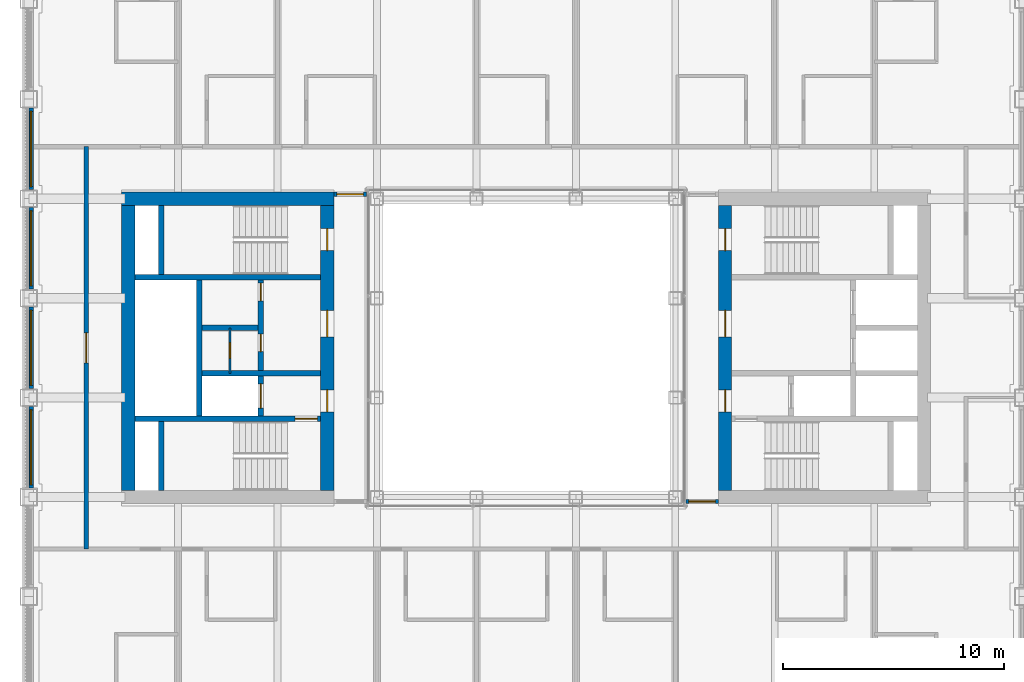
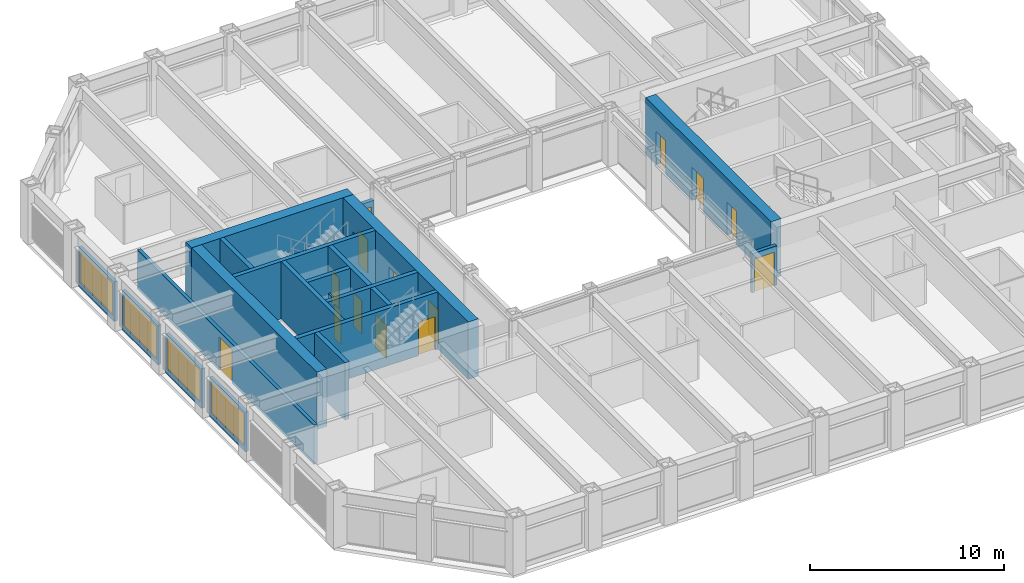
# One storey, part 11 of 17: 20 walls, 14 doors, 4 windows, 18 openings.
"""IFC4 building model written with IfcOpenShell, lengths in metres."""

from ifc_helpers import new_model, si_unit, direction, frame, frame_2d, origin, place, context, subcontext, project, spatial, rectangle, extrude, material, layer, layer_set, type_object, element, fill, save


model = new_model("IFC4")

# Units and contexts
model_context = context("Model", 3, precision=1e-05, world=origin(), true_north=direction((0.0, 1.0)))
body_context = subcontext(model_context, "Body", "Model", "MODEL_VIEW")
ifc_project = project(units=[si_unit("LENGTHUNIT", "METRE"), si_unit("AREAUNIT", "SQUARE_METRE"), si_unit("VOLUMEUNIT", "CUBIC_METRE"), si_unit("PLANEANGLEUNIT", "RADIAN"), si_unit("MASSUNIT", "GRAM", prefix="KILO")], contexts=[model_context])

# Site, building, storey
site_placement = place(None, origin())
site = spatial("IfcSite", under=ifc_project, at=site_placement, CompositionType="ELEMENT")
building_placement = place(site_placement, origin())
building = spatial("IfcBuilding", under=site, at=building_placement, Name="Msasa Ring Tower", CompositionType="ELEMENT")
storey_placement = place(building_placement, frame((0.0, 0.0, 150.800048828125)))
storey = spatial("IfcBuildingStorey", under=building, at=storey_placement, Name="L39", CompositionType="ELEMENT", Elevation=150.800048828125)

# Wall, openings, doors
ifc_material_1 = material(Name="Concrete C60/75", Category="concrete")
ifc_layer_1 = layer(ifc_material_1, 0.60009765625)
ifc_layer_set_1 = layer_set([ifc_layer_1], Name="CW2 CORE WALL 600")
wall_type_1 = type_object("IfcWallType", Name="CW2 CORE WALL 600", PredefinedType="SHEAR", material=ifc_layer_set_1)
wall_1_placement = place(storey_placement, frame((9.0, -6.449951171875, 0.0), z_axis=(0.0, 0.0, 1.0), x_axis=(0.0, 1.0, 0.0)))
wall_1 = element("IfcWall", 1, at=wall_1_placement, inside=storey, type_object=wall_type_1, Name="E core wall W L39", PredefinedType="SHEAR", context=body_context, shape_type="SweptSolid", body=[
    extrude(rectangle(XDim=12.89990234375, YDim=0.60009765625, at=frame_2d((6.449951171875, 0.0))), origin(), (0.0, 0.0, 1.0), 3.599853515625),
])
opening_1_placement = place(wall_1_placement, frame((3.550048828125, 0.0, 0.0)))
opening_1 = element("IfcOpeningElement", 2, at=opening_1_placement, cuts=wall_1, Name="Opening HD-027", PredefinedType="OPENING", context=body_context, shape_type="SweptSolid", body=[
    extrude(rectangle(XDim=1.0, YDim=2.10009765625, at=frame_2d((0.5, 1.050048828125))), frame((0.0, 0.31005859375, 0.0), z_axis=(0.0, -1.0, 0.0), x_axis=(1.0, 0.0, 0.0)), (0.0, 0.0, 1.0), 0.6201171875),
])
opening_2_placement = place(wall_1_placement, frame((6.949951171875, 0.0, 0.0)))
opening_2 = element("IfcOpeningElement", 3, at=opening_2_placement, cuts=wall_1, Name="Opening HD-022", PredefinedType="OPENING", context=body_context, shape_type="SweptSolid", body=[
    extrude(rectangle(XDim=1.199951171875, YDim=2.10009765625, at=frame_2d((0.60009765625, 1.050048828125))), frame((0.0, 0.31005859375, 0.0), z_axis=(0.0, -1.0, 0.0), x_axis=(1.0, 0.0, 0.0)), (0.0, 0.0, 1.0), 0.6201171875),
])
opening_3_placement = place(wall_1_placement, frame((10.85009765625, 0.0, 0.0)))
opening_3 = element("IfcOpeningElement", 4, at=opening_3_placement, cuts=wall_1, Name="Opening HD-019", PredefinedType="OPENING", context=body_context, shape_type="SweptSolid", body=[
    extrude(rectangle(XDim=1.0, YDim=2.10009765625, at=frame_2d((0.5, 1.050048828125))), frame((0.0, 0.31005859375, 0.0), z_axis=(0.0, -1.0, 0.0), x_axis=(1.0, 0.0, 0.0)), (0.0, 0.0, 1.0), 0.6201171875),
])
ifc_material_2 = material(Name="Timber door leaf in a steel frame", Category="steel")
door_type_1 = type_object("IfcDoorType", Name="D4 LOBBY DOOR 1000x2100", OperationType="SINGLE_SWING_LEFT", PredefinedType="DOOR", material=ifc_material_2)
door_1_placement = place(opening_1_placement, origin())
door_1 = element("IfcDoor", 5, at=door_1_placement, inside=storey, type_object=door_type_1, Name="Door L39-EFFL", OperationType="SINGLE_SWING_LEFT", OverallHeight=2.10009765625, OverallWidth=1.0, PredefinedType="DOOR", context=body_context, shape_type="SweptSolid", body=[
    extrude(rectangle(XDim=1.0, YDim=2.10009765625, at=frame_2d((0.5, 1.050048828125))), frame((0.0, 0.02490234375, 0.0), z_axis=(0.0, -1.0, 0.0), x_axis=(1.0, 0.0, 0.0)), (0.0, 0.0, 1.0), 0.050048828125),
])
fill(opening_1, door_1)
ifc_material_3 = material(Name="Timber door leaf in a steel frame", Category="steel")
door_type_2 = type_object("IfcDoorType", Name="D5 WIDE LOBBY DOOR 1200x2100", OperationType="SINGLE_SWING_LEFT", PredefinedType="DOOR", material=ifc_material_3)
door_2_placement = place(opening_2_placement, origin())
door_2 = element("IfcDoor", 6, at=door_2_placement, inside=storey, type_object=door_type_2, Name="Door L39-ELL", OperationType="SINGLE_SWING_RIGHT", OverallHeight=2.10009765625, OverallWidth=1.199951171875, PredefinedType="DOOR", context=body_context, shape_type="SweptSolid", body=[
    extrude(rectangle(XDim=1.199951171875, YDim=2.10009765625, at=frame_2d((0.60009765625, 1.050048828125))), frame((0.0, 0.02490234375, 0.0), z_axis=(0.0, -1.0, 0.0), x_axis=(1.0, 0.0, 0.0)), (0.0, 0.0, 1.0), 0.050048828125),
])
fill(opening_2, door_2)
ifc_material_4 = material(Name="Timber door leaf in a steel frame", Category="steel")
door_type_3 = type_object("IfcDoorType", Name="D6 STAIR DOOR 1000x2100", OperationType="SINGLE_SWING_LEFT", PredefinedType="DOOR", material=ifc_material_4)
door_3_placement = place(opening_3_placement, origin())
door_3 = element("IfcDoor", 7, at=door_3_placement, inside=storey, type_object=door_type_3, Name="Door L39-ESTB", OperationType="SINGLE_SWING_RIGHT", OverallHeight=2.10009765625, OverallWidth=1.0, PredefinedType="DOOR", context=body_context, shape_type="SweptSolid", body=[
    extrude(rectangle(XDim=1.0, YDim=2.10009765625, at=frame_2d((0.5, 1.050048828125))), frame((0.0, 0.02490234375, 0.0), z_axis=(0.0, -1.0, 0.0), x_axis=(1.0, 0.0, 0.0)), (0.0, 0.0, 1.0), 0.050048828125),
])
fill(opening_3, door_3)

# Wall
wall_2_placement = place(storey_placement, frame((-8.699951171875, 6.75, 0.0), z_axis=(0.0, 0.0, 1.0), x_axis=(-1.0, 0.0, 0.0)))
element("IfcWall", 8, at=wall_2_placement, inside=storey, type_object=wall_type_1, Name="W core wall N L39", PredefinedType="SHEAR", context=body_context, shape_type="SweptSolid", body=[
    extrude(rectangle(XDim=9.60009765625, YDim=0.60009765625, at=frame_2d((4.800048828125, 0.0))), origin(), (0.0, 0.0, 1.0), 3.599853515625),
])

# Wall, openings, doors
wall_3_placement = place(storey_placement, frame((-9.0, -6.449951171875, 0.0), z_axis=(0.0, 0.0, 1.0), x_axis=(0.0, 1.0, 0.0)))
wall_3 = element("IfcWall", 9, at=wall_3_placement, inside=storey, type_object=wall_type_1, Name="W core wall W L39", PredefinedType="SHEAR", context=body_context, shape_type="SweptSolid", body=[
    extrude(rectangle(XDim=12.89990234375, YDim=0.60009765625, at=frame_2d((6.449951171875, 0.0))), origin(), (0.0, 0.0, 1.0), 3.599853515625),
])
opening_4_placement = place(wall_3_placement, frame((3.550048828125, 0.0, 0.0)))
opening_4 = element("IfcOpeningElement", 10, at=opening_4_placement, cuts=wall_3, Name="Opening HD-026", PredefinedType="OPENING", context=body_context, shape_type="SweptSolid", body=[
    extrude(rectangle(XDim=1.0, YDim=2.10009765625, at=frame_2d((0.5, 1.050048828125))), frame((0.0, 0.31005859375, 0.0), z_axis=(0.0, -1.0, 0.0), x_axis=(1.0, 0.0, 0.0)), (0.0, 0.0, 1.0), 0.6201171875),
])
opening_5_placement = place(wall_3_placement, frame((6.949951171875, 0.0, 0.0)))
opening_5 = element("IfcOpeningElement", 11, at=opening_5_placement, cuts=wall_3, Name="Opening HD-021", PredefinedType="OPENING", context=body_context, shape_type="SweptSolid", body=[
    extrude(rectangle(XDim=1.199951171875, YDim=2.10009765625, at=frame_2d((0.60009765625, 1.050048828125))), frame((0.0, 0.31005859375, 0.0), z_axis=(0.0, -1.0, 0.0), x_axis=(1.0, 0.0, 0.0)), (0.0, 0.0, 1.0), 0.6201171875),
])
opening_6_placement = place(wall_3_placement, frame((10.85009765625, 0.0, 0.0)))
opening_6 = element("IfcOpeningElement", 12, at=opening_6_placement, cuts=wall_3, Name="Opening HD-018", PredefinedType="OPENING", context=body_context, shape_type="SweptSolid", body=[
    extrude(rectangle(XDim=1.0, YDim=2.10009765625, at=frame_2d((0.5, 1.050048828125))), frame((0.0, 0.31005859375, 0.0), z_axis=(0.0, -1.0, 0.0), x_axis=(1.0, 0.0, 0.0)), (0.0, 0.0, 1.0), 0.6201171875),
])
ifc_material_5 = material(Name="Timber door leaf in a steel frame", Category="steel")
door_type_4 = type_object("IfcDoorType", Name="D26 WIDE SERVICE ROOM DOOR 1200x2100", OperationType="SINGLE_SWING_LEFT", PredefinedType="DOOR", material=ifc_material_5)
door_4_placement = place(opening_5_placement, origin())
door_4 = element("IfcDoor", 13, at=door_4_placement, inside=storey, type_object=door_type_4, Name="Door L39-WCR", OperationType="SINGLE_SWING_RIGHT", OverallHeight=2.10009765625, OverallWidth=1.199951171875, PredefinedType="DOOR", context=body_context, shape_type="SweptSolid", body=[
    extrude(rectangle(XDim=1.199951171875, YDim=2.10009765625, at=frame_2d((0.60009765625, 1.050048828125))), frame((0.0, 0.02490234375, 0.0), z_axis=(0.0, -1.0, 0.0), x_axis=(1.0, 0.0, 0.0)), (0.0, 0.0, 1.0), 0.050048828125),
])
fill(opening_5, door_4)
door_5_placement = place(opening_4_placement, origin())
door_5 = element("IfcDoor", 14, at=door_5_placement, inside=storey, type_object=door_type_1, Name="Door L39-WFFL", OperationType="SINGLE_SWING_LEFT", OverallHeight=2.10009765625, OverallWidth=1.0, PredefinedType="DOOR", context=body_context, shape_type="SweptSolid", body=[
    extrude(rectangle(XDim=1.0, YDim=2.10009765625, at=frame_2d((0.5, 1.050048828125))), frame((0.0, 0.02490234375, 0.0), z_axis=(0.0, -1.0, 0.0), x_axis=(1.0, 0.0, 0.0)), (0.0, 0.0, 1.0), 0.050048828125),
])
fill(opening_4, door_5)
door_6_placement = place(opening_6_placement, origin())
door_6 = element("IfcDoor", 15, at=door_6_placement, inside=storey, type_object=door_type_3, Name="Door L39-WSTB", OperationType="SINGLE_SWING_RIGHT", OverallHeight=2.10009765625, OverallWidth=1.0, PredefinedType="DOOR", context=body_context, shape_type="SweptSolid", body=[
    extrude(rectangle(XDim=1.0, YDim=2.10009765625, at=frame_2d((0.5, 1.050048828125))), frame((0.0, 0.02490234375, 0.0), z_axis=(0.0, -1.0, 0.0), x_axis=(1.0, 0.0, 0.0)), (0.0, 0.0, 1.0), 0.050048828125),
])
fill(opening_6, door_6)

# Wall
wall_4_placement = place(storey_placement, frame((-18.0, -6.449951171875, 0.0), z_axis=(0.0, 0.0, 1.0), x_axis=(0.0, 1.0, 0.0)))
element("IfcWall", 16, at=wall_4_placement, inside=storey, type_object=wall_type_1, Name="W core wall E L39", PredefinedType="SHEAR", context=body_context, shape_type="SweptSolid", body=[
    extrude(rectangle(XDim=12.89990234375, YDim=0.60009765625, at=frame_2d((6.449951171875, 0.0))), origin(), (0.0, 0.0, 1.0), 3.599853515625),
])

# Wall, opening, door
ifc_material_6 = material(Name="Concrete C60/75", Category="concrete")
ifc_layer_2 = layer(ifc_material_6, 0.25)
ifc_layer_set_2 = layer_set([ifc_layer_2], Name="CW4 CORE INNER WALL 250")
wall_type_2 = type_object("IfcWallType", Name="CW4 CORE INNER WALL 250", PredefinedType="SHEAR", material=ifc_layer_set_2)
wall_5_placement = place(storey_placement, frame((-9.300048828125, -3.199951171875, 0.0), z_axis=(0.0, 0.0, 1.0), x_axis=(-1.0, 0.0, 0.0)))
wall_5 = element("IfcWall", 17, at=wall_5_placement, inside=storey, type_object=wall_type_2, Name="W core wall STAIRA L39", PredefinedType="SHEAR", context=body_context, shape_type="SweptSolid", body=[
    extrude(rectangle(XDim=8.39990234375, YDim=0.25, at=frame_2d((4.199951171875, 0.0))), origin(), (0.0, 0.0, 1.0), 3.599853515625),
])
opening_7_placement = place(wall_5_placement, frame((0.14990234375, 0.0, 0.0)))
opening_7 = element("IfcOpeningElement", 18, at=opening_7_placement, cuts=wall_5, Name="Opening HD-028", PredefinedType="OPENING", context=body_context, shape_type="SweptSolid", body=[
    extrude(rectangle(XDim=1.0, YDim=2.10009765625, at=frame_2d((0.5, 1.050048828125))), frame((0.0, 0.135009765625, 0.0), z_axis=(0.0, -1.0, 0.0), x_axis=(1.0, 0.0, 0.0)), (0.0, 0.0, 1.0), 0.27001953125),
])
door_7_placement = place(opening_7_placement, origin())
door_7 = element("IfcDoor", 19, at=door_7_placement, inside=storey, type_object=door_type_3, Name="Door L39-WSTA", OperationType="SINGLE_SWING_LEFT", OverallHeight=2.10009765625, OverallWidth=1.0, PredefinedType="DOOR", context=body_context, shape_type="SweptSolid", body=[
    extrude(rectangle(XDim=1.0, YDim=2.10009765625, at=frame_2d((0.5, 1.050048828125))), frame((0.0, 0.02490234375, 0.0), z_axis=(0.0, -1.0, 0.0), x_axis=(1.0, 0.0, 0.0)), (0.0, 0.0, 1.0), 0.050048828125),
])
fill(opening_7, door_7)

# Walls
wall_6_placement = place(storey_placement, frame((-9.300048828125, 3.199951171875, 0.0), z_axis=(0.0, 0.0, 1.0), x_axis=(-1.0, 0.0, 0.0)))
element("IfcWall", 20, at=wall_6_placement, inside=storey, type_object=wall_type_2, Name="W core wall STAIRB L39", PredefinedType="SHEAR", context=body_context, shape_type="SweptSolid", body=[
    extrude(rectangle(XDim=8.39990234375, YDim=0.25, at=frame_2d((4.199951171875, 0.0))), origin(), (0.0, 0.0, 1.0), 3.599853515625),
])
for number, where, z_axis, x_axis, name in (
    (21, (-16.5, -6.449951171875, 0.0), (0.0, 0.0, 1.0), (0.0, 1.0, 0.0), "W core wall RISERA L39"),
    (22, (-16.5, 3.324951171875, 0.0), (0.0, 0.0, 1.0), (0.0, 1.0, 0.0), "W core wall RISERB L39"),
):
    element("IfcWall", number, at=place(storey_placement, frame(where, z_axis=z_axis, x_axis=x_axis)), inside=storey, type_object=wall_type_2, Name=name, PredefinedType="SHEAR", context=body_context, shape_type="SweptSolid", body=[
        extrude(rectangle(XDim=3.125, YDim=0.25, at=frame_2d((1.5625, 0.0))), origin(), (0.0, 0.0, 1.0), 3.599853515625),
    ])
wall_7_placement = place(storey_placement, frame((-9.300048828125, -1.14990234375, 0.0), z_axis=(0.0, 0.0, 1.0), x_axis=(-1.0, 0.0, 0.0)))
element("IfcWall", 23, at=wall_7_placement, inside=storey, type_object=wall_type_2, Name="W core wall FFL L39", PredefinedType="SHEAR", context=body_context, shape_type="SweptSolid", body=[
    extrude(rectangle(XDim=5.375, YDim=0.25, at=frame_2d((2.6875, 0.0))), origin(), (0.0, 0.0, 1.0), 3.599853515625),
])

# Wall, openings, doors
wall_8_placement = place(storey_placement, frame((-12.0, -3.074951171875, 0.0), z_axis=(0.0, 0.0, 1.0), x_axis=(0.0, 1.0, 0.0)))
wall_8 = element("IfcWall", 24, at=wall_8_placement, inside=storey, type_object=wall_type_2, Name="W core wall LOBBY L39", PredefinedType="SHEAR", context=body_context, shape_type="SweptSolid", body=[
    extrude(rectangle(XDim=6.14990234375, YDim=0.25, at=frame_2d((3.074951171875, 0.0))), origin(), (0.0, 0.0, 1.0), 3.599853515625),
])
opening_8_placement = place(wall_8_placement, frame((2.89990234375, 0.0, 0.0)))
opening_8 = element("IfcOpeningElement", 25, at=opening_8_placement, cuts=wall_8, Name="Opening HD-023", PredefinedType="OPENING", context=body_context, shape_type="SweptSolid", body=[
    extrude(rectangle(XDim=0.800048828125, YDim=2.10009765625, at=frame_2d((0.39990234375, 1.050048828125))), frame((0.0, 0.135009765625, 0.0), z_axis=(0.0, -1.0, 0.0), x_axis=(1.0, 0.0, 0.0)), (0.0, 0.0, 1.0), 0.27001953125),
])
opening_9_placement = place(wall_8_placement, frame((5.199951171875, 0.0, 0.0)))
opening_9 = element("IfcOpeningElement", 26, at=opening_9_placement, cuts=wall_8, Name="Opening HD-020", PredefinedType="OPENING", context=body_context, shape_type="SweptSolid", body=[
    extrude(rectangle(XDim=0.800048828125, YDim=2.10009765625, at=frame_2d((0.39990234375, 1.050048828125))), frame((0.0, 0.135009765625, 0.0), z_axis=(0.0, -1.0, 0.0), x_axis=(1.0, 0.0, 0.0)), (0.0, 0.0, 1.0), 0.27001953125),
])
opening_10_placement = place(wall_8_placement, frame((0.35009765625, 0.0, 0.0)))
opening_10 = element("IfcOpeningElement", 27, at=opening_10_placement, cuts=wall_8, Name="Opening LD1", PredefinedType="OPENING", context=body_context, shape_type="SweptSolid", body=[
    extrude(rectangle(XDim=1.10009765625, YDim=2.10009765625, at=frame_2d((0.550048828125, 1.050048828125))), frame((0.0, 0.135009765625, 0.0), z_axis=(0.0, -1.0, 0.0), x_axis=(1.0, 0.0, 0.0)), (0.0, 0.0, 1.0), 0.27001953125),
])
ifc_material_7 = material(Name="Timber door leaf in a steel frame", Category="steel")
door_type_5 = type_object("IfcDoorType", Name="D9 NARROW SERVICE DOOR 800x2100", OperationType="SINGLE_SWING_LEFT", PredefinedType="DOOR", material=ifc_material_7)
door_8_placement = place(opening_8_placement, origin())
door_8 = element("IfcDoor", 28, at=door_8_placement, inside=storey, type_object=door_type_5, Name="Door L39-WR1", OperationType="SINGLE_SWING_RIGHT", OverallHeight=2.10009765625, OverallWidth=0.800048828125, PredefinedType="DOOR", context=body_context, shape_type="SweptSolid", body=[
    extrude(rectangle(XDim=0.800048828125, YDim=2.10009765625, at=frame_2d((0.39990234375, 1.050048828125))), frame((0.0, 0.02490234375, 0.0), z_axis=(0.0, -1.0, 0.0), x_axis=(1.0, 0.0, 0.0)), (0.0, 0.0, 1.0), 0.050048828125),
])
fill(opening_8, door_8)
door_9_placement = place(opening_9_placement, origin())
door_9 = element("IfcDoor", 29, at=door_9_placement, inside=storey, type_object=door_type_5, Name="Door L39-WR2", OperationType="SINGLE_SWING_RIGHT", OverallHeight=2.10009765625, OverallWidth=0.800048828125, PredefinedType="DOOR", context=body_context, shape_type="SweptSolid", body=[
    extrude(rectangle(XDim=0.800048828125, YDim=2.10009765625, at=frame_2d((0.39990234375, 1.050048828125))), frame((0.0, 0.02490234375, 0.0), z_axis=(0.0, -1.0, 0.0), x_axis=(1.0, 0.0, 0.0)), (0.0, 0.0, 1.0), 0.050048828125),
])
fill(opening_9, door_9)
ifc_material_8 = material(Name="Stainless steel lift landing door", Category="steel")
door_type_6 = type_object("IfcDoorType", Name="LD1 LIFT LANDING DOOR 1100x2100", OperationType="DOUBLE_DOOR_SLIDING", PredefinedType="DOOR", material=ifc_material_8)
door_10_placement = place(opening_10_placement, origin())
door_10 = element("IfcDoor", 30, at=door_10_placement, inside=storey, type_object=door_type_6, Name="Lift landing door FL-W L39", OperationType="DOUBLE_DOOR_SLIDING", OverallHeight=2.10009765625, OverallWidth=1.10009765625, PredefinedType="DOOR", context=body_context, shape_type="SweptSolid", body=[
    extrude(rectangle(XDim=1.10009765625, YDim=2.10009765625, at=frame_2d((0.550048828125, 1.050048828125))), frame((0.0, 0.02490234375, 0.0), z_axis=(0.0, -1.0, 0.0), x_axis=(1.0, 0.0, 0.0)), (0.0, 0.0, 1.0), 0.050048828125),
])
fill(opening_10, door_10)

# Walls
wall_9_placement = place(storey_placement, frame((-14.800048828125, -3.074951171875, 0.0), z_axis=(0.0, 0.0, 1.0), x_axis=(0.0, 1.0, 0.0)))
element("IfcWall", 31, at=wall_9_placement, inside=storey, type_object=wall_type_2, Name="W core wall SHAFT L39", PredefinedType="SHEAR", context=body_context, shape_type="SweptSolid", body=[
    extrude(rectangle(XDim=6.14990234375, YDim=0.25, at=frame_2d((3.074951171875, 0.0))), origin(), (0.0, 0.0, 1.0), 3.599853515625),
])
wall_10_placement = place(storey_placement, frame((-12.125, 0.89990234375, 0.0), z_axis=(0.0, 0.0, 1.0), x_axis=(-1.0, 0.0, 0.0)))
element("IfcWall", 32, at=wall_10_placement, inside=storey, type_object=wall_type_2, Name="W core wall LIFT1 L39", PredefinedType="SHEAR", context=body_context, shape_type="SweptSolid", body=[
    extrude(rectangle(XDim=2.550048828125, YDim=0.25, at=frame_2d((1.27490234375, 0.0))), origin(), (0.0, 0.0, 1.0), 3.599853515625),
])

# Wall, opening, window
ifc_material_9 = material(Name="Terracotta rainscreen on blockwork", Category="masonry")
ifc_layer_3 = layer(ifc_material_9, 0.199951171875)
ifc_layer_set_3 = layer_set([ifc_layer_3], Name="FW1 TERRACOTTA-LINED INFILL BAY WALL 200")
wall_type_3 = type_object("IfcWallType", Name="FW1 TERRACOTTA-LINED INFILL BAY WALL 200", PredefinedType="SOLIDWALL", material=ifc_layer_set_3)
wall_11_placement = place(storey_placement, frame((-22.39990234375, -6.344970703125, 0.0), z_axis=(0.0, 0.0, 1.0), x_axis=(0.0, 1.0, 0.0)))
wall_11 = element("IfcWall", 33, at=wall_11_placement, inside=storey, type_object=wall_type_3, Name="Infill bay wall W L39 29", PredefinedType="SOLIDWALL", context=body_context, shape_type="SweptSolid", body=[
    extrude(rectangle(XDim=3.68994140625, YDim=0.199951171875, at=frame_2d((1.844970703125, 0.0))), origin(), (0.0, 0.0, 1.0), 2.47900390625),
])
opening_11_placement = place(wall_11_placement, frame((0.14501953125, 0.0, 0.300048828125)))
opening_11 = element("IfcOpeningElement", 34, at=opening_11_placement, cuts=wall_11, Name="Opening WN2", PredefinedType="OPENING", context=body_context, shape_type="SweptSolid", body=[
    extrude(rectangle(XDim=3.39990234375, YDim=2.029052734375, at=frame_2d((1.699951171875, 1.0146484375))), frame((0.0, 0.10986328125, 0.0), z_axis=(0.0, -1.0, 0.0), x_axis=(1.0, 0.0, 0.0)), (0.0, 0.0, 1.0), 0.219970703125),
])
ifc_material_10 = material(Name="Aluminium frame with clear glass", Category="aluminium")
window_type = type_object("IfcWindowType", Name="WN2 GUEST ROOM WINDOW 3400x2029", PartitioningType="SINGLE_PANEL", PredefinedType="WINDOW", material=ifc_material_10)
window_1_placement = place(opening_11_placement, origin())
window_1 = element("IfcWindow", 35, at=window_1_placement, inside=storey, type_object=window_type, Name="Window W L39 29", OverallHeight=2.029052734375, OverallWidth=3.39990234375, PartitioningType="SINGLE_PANEL", PredefinedType="WINDOW", context=body_context, shape_type="SweptSolid", body=[
    extrude(rectangle(XDim=3.39990234375, YDim=2.029052734375, at=frame_2d((1.699951171875, 1.0146484375))), frame((0.0, 0.030029296875, 0.0), z_axis=(0.0, -1.0, 0.0), x_axis=(1.0, 0.0, 0.0)), (0.0, 0.0, 1.0), 0.06005859375),
])
fill(opening_11, window_1)

wall_12_placement = place(storey_placement, frame((-22.39990234375, -1.844970703125, 0.0), z_axis=(0.0, 0.0, 1.0), x_axis=(0.0, 1.0, 0.0)))
wall_12 = element("IfcWall", 36, at=wall_12_placement, inside=storey, type_object=wall_type_3, Name="Infill bay wall W L39 30", PredefinedType="SOLIDWALL", context=body_context, shape_type="SweptSolid", body=[
    extrude(rectangle(XDim=3.68994140625, YDim=0.199951171875, at=frame_2d((1.844970703125, 0.0))), origin(), (0.0, 0.0, 1.0), 2.47900390625),
])
opening_12_placement = place(wall_12_placement, frame((0.14501953125, 0.0, 0.300048828125)))
opening_12 = element("IfcOpeningElement", 37, at=opening_12_placement, cuts=wall_12, Name="Opening WN2", PredefinedType="OPENING", context=body_context, shape_type="SweptSolid", body=[
    extrude(rectangle(XDim=3.39990234375, YDim=2.029052734375, at=frame_2d((1.699951171875, 1.0146484375))), frame((0.0, 0.10986328125, 0.0), z_axis=(0.0, -1.0, 0.0), x_axis=(1.0, 0.0, 0.0)), (0.0, 0.0, 1.0), 0.219970703125),
])
window_2_placement = place(opening_12_placement, origin())
window_2 = element("IfcWindow", 38, at=window_2_placement, inside=storey, type_object=window_type, Name="Window W L39 30", OverallHeight=2.029052734375, OverallWidth=3.39990234375, PartitioningType="SINGLE_PANEL", PredefinedType="WINDOW", context=body_context, shape_type="SweptSolid", body=[
    extrude(rectangle(XDim=3.39990234375, YDim=2.029052734375, at=frame_2d((1.699951171875, 1.0146484375))), frame((0.0, 0.030029296875, 0.0), z_axis=(0.0, -1.0, 0.0), x_axis=(1.0, 0.0, 0.0)), (0.0, 0.0, 1.0), 0.06005859375),
])
fill(opening_12, window_2)

wall_13_placement = place(storey_placement, frame((-22.39990234375, 2.655029296875, 0.0), z_axis=(0.0, 0.0, 1.0), x_axis=(0.0, 1.0, 0.0)))
wall_13 = element("IfcWall", 39, at=wall_13_placement, inside=storey, type_object=wall_type_3, Name="Infill bay wall W L39 31", PredefinedType="SOLIDWALL", context=body_context, shape_type="SweptSolid", body=[
    extrude(rectangle(XDim=3.68994140625, YDim=0.199951171875, at=frame_2d((1.844970703125, 0.0))), origin(), (0.0, 0.0, 1.0), 2.47900390625),
])
opening_13_placement = place(wall_13_placement, frame((0.14501953125, 0.0, 0.300048828125)))
opening_13 = element("IfcOpeningElement", 40, at=opening_13_placement, cuts=wall_13, Name="Opening WN2", PredefinedType="OPENING", context=body_context, shape_type="SweptSolid", body=[
    extrude(rectangle(XDim=3.39990234375, YDim=2.029052734375, at=frame_2d((1.699951171875, 1.0146484375))), frame((0.0, 0.10986328125, 0.0), z_axis=(0.0, -1.0, 0.0), x_axis=(1.0, 0.0, 0.0)), (0.0, 0.0, 1.0), 0.219970703125),
])
window_3_placement = place(opening_13_placement, origin())
window_3 = element("IfcWindow", 41, at=window_3_placement, inside=storey, type_object=window_type, Name="Window W L39 31", OverallHeight=2.029052734375, OverallWidth=3.39990234375, PartitioningType="SINGLE_PANEL", PredefinedType="WINDOW", context=body_context, shape_type="SweptSolid", body=[
    extrude(rectangle(XDim=3.39990234375, YDim=2.029052734375, at=frame_2d((1.699951171875, 1.0146484375))), frame((0.0, 0.030029296875, 0.0), z_axis=(0.0, -1.0, 0.0), x_axis=(1.0, 0.0, 0.0)), (0.0, 0.0, 1.0), 0.06005859375),
])
fill(opening_13, window_3)

wall_14_placement = place(storey_placement, frame((-22.39990234375, 7.155029296875, 0.0), z_axis=(0.0, 0.0, 1.0), x_axis=(0.0, 1.0, 0.0)))
wall_14 = element("IfcWall", 42, at=wall_14_placement, inside=storey, type_object=wall_type_3, Name="Infill bay wall W L39 32", PredefinedType="SOLIDWALL", context=body_context, shape_type="SweptSolid", body=[
    extrude(rectangle(XDim=3.68994140625, YDim=0.199951171875, at=frame_2d((1.844970703125, 0.0))), origin(), (0.0, 0.0, 1.0), 2.47900390625),
])
opening_14_placement = place(wall_14_placement, frame((0.14501953125, 0.0, 0.300048828125)))
opening_14 = element("IfcOpeningElement", 43, at=opening_14_placement, cuts=wall_14, Name="Opening WN2", PredefinedType="OPENING", context=body_context, shape_type="SweptSolid", body=[
    extrude(rectangle(XDim=3.39990234375, YDim=2.029052734375, at=frame_2d((1.699951171875, 1.0146484375))), frame((0.0, 0.10986328125, 0.0), z_axis=(0.0, -1.0, 0.0), x_axis=(1.0, 0.0, 0.0)), (0.0, 0.0, 1.0), 0.219970703125),
])
window_4_placement = place(opening_14_placement, origin())
window_4 = element("IfcWindow", 44, at=window_4_placement, inside=storey, type_object=window_type, Name="Window W L39 32", OverallHeight=2.029052734375, OverallWidth=3.39990234375, PartitioningType="SINGLE_PANEL", PredefinedType="WINDOW", context=body_context, shape_type="SweptSolid", body=[
    extrude(rectangle(XDim=3.39990234375, YDim=2.029052734375, at=frame_2d((1.699951171875, 1.0146484375))), frame((0.0, 0.030029296875, 0.0), z_axis=(0.0, -1.0, 0.0), x_axis=(1.0, 0.0, 0.0)), (0.0, 0.0, 1.0), 0.06005859375),
])
fill(opening_14, window_4)

# Wall, opening, door
ifc_material_11 = material(Name="Concrete blockwork", Category="masonry")
ifc_layer_4 = layer(ifc_material_11, 0.199951171875)
ifc_layer_set_4 = layer_set([ifc_layer_4], Name="PT1 CORRIDOR WALL 200")
wall_type_4 = type_object("IfcWallType", Name="PT1 CORRIDOR WALL 200", PredefinedType="PARTITIONING", material=ifc_layer_set_4)
wall_15_placement = place(storey_placement, frame((7.22998046875, -6.949951171875, 0.0), z_axis=(0.0, 0.0, 1.0), x_axis=(1.0, 0.0, 0.0)))
wall_15 = element("IfcWall", 45, at=wall_15_placement, inside=storey, type_object=wall_type_4, Name="Corridor wall L39-SDES", PredefinedType="PARTITIONING", context=body_context, shape_type="SweptSolid", body=[
    extrude(rectangle(XDim=1.469970703125, YDim=0.199951171875, at=frame_2d((0.73486328125, 0.0))), origin(), (0.0, 0.0, 1.0), 2.473388671875),
])
opening_15_placement = place(wall_15_placement, frame((0.135009765625, 0.0, 0.0)))
opening_15 = element("IfcOpeningElement", 46, at=opening_15_placement, cuts=wall_15, Name="Opening HD-032", PredefinedType="OPENING", context=body_context, shape_type="SweptSolid", body=[
    extrude(rectangle(XDim=1.199951171875, YDim=2.10009765625, at=frame_2d((0.60009765625, 1.050048828125))), frame((0.0, 0.10986328125, 0.0), z_axis=(0.0, -1.0, 0.0), x_axis=(1.0, 0.0, 0.0)), (0.0, 0.0, 1.0), 0.219970703125),
])
ifc_material_12 = material(Name="Timber door leaf in a steel frame", Category="steel")
door_type_7 = type_object("IfcDoorType", Name="D25 CORRIDOR PAIR OF SMOKE DOORS 1200x2100", OperationType="DOUBLE_DOOR_DOUBLE_SWING", PredefinedType="DOOR", material=ifc_material_12)
door_11_placement = place(opening_15_placement, origin())
door_11 = element("IfcDoor", 47, at=door_11_placement, inside=storey, type_object=door_type_7, Name="Door L39-SDES", OperationType="DOUBLE_DOOR_DOUBLE_SWING", OverallHeight=2.10009765625, OverallWidth=1.199951171875, PredefinedType="DOOR", context=body_context, shape_type="SweptSolid", body=[
    extrude(rectangle(XDim=1.199951171875, YDim=2.10009765625, at=frame_2d((0.60009765625, 1.050048828125))), frame((0.0, 0.02490234375, 0.0), z_axis=(0.0, -1.0, 0.0), x_axis=(1.0, 0.0, 0.0)), (0.0, 0.0, 1.0), 0.050048828125),
])
fill(opening_15, door_11)

wall_16_placement = place(storey_placement, frame((-8.699951171875, 6.949951171875, 0.0), z_axis=(0.0, 0.0, 1.0), x_axis=(1.0, 0.0, 0.0)))
wall_16 = element("IfcWall", 48, at=wall_16_placement, inside=storey, type_object=wall_type_4, Name="Corridor wall L39-SDWN", PredefinedType="PARTITIONING", context=body_context, shape_type="SweptSolid", body=[
    extrude(rectangle(XDim=1.469970703125, YDim=0.199951171875, at=frame_2d((0.73486328125, 0.0))), origin(), (0.0, 0.0, 1.0), 2.473388671875),
])
opening_16_placement = place(wall_16_placement, frame((0.135009765625, 0.0, 0.0)))
opening_16 = element("IfcOpeningElement", 49, at=opening_16_placement, cuts=wall_16, Name="Opening HD-015", PredefinedType="OPENING", context=body_context, shape_type="SweptSolid", body=[
    extrude(rectangle(XDim=1.199951171875, YDim=2.10009765625, at=frame_2d((0.60009765625, 1.050048828125))), frame((0.0, 0.10986328125, 0.0), z_axis=(0.0, -1.0, 0.0), x_axis=(1.0, 0.0, 0.0)), (0.0, 0.0, 1.0), 0.219970703125),
])
door_12_placement = place(opening_16_placement, origin())
door_12 = element("IfcDoor", 50, at=door_12_placement, inside=storey, type_object=door_type_7, Name="Door L39-SDWN", OperationType="DOUBLE_DOOR_DOUBLE_SWING", OverallHeight=2.10009765625, OverallWidth=1.199951171875, PredefinedType="DOOR", context=body_context, shape_type="SweptSolid", body=[
    extrude(rectangle(XDim=1.199951171875, YDim=2.10009765625, at=frame_2d((0.60009765625, 1.050048828125))), frame((0.0, 0.02490234375, 0.0), z_axis=(0.0, -1.0, 0.0), x_axis=(1.0, 0.0, 0.0)), (0.0, 0.0, 1.0), 0.050048828125),
])
fill(opening_16, door_12)

wall_17_placement = place(storey_placement, frame((-19.89990234375, -9.10009765625, 0.0), z_axis=(0.0, 0.0, 1.0), x_axis=(0.0, 1.0, 0.0)))
wall_17 = element("IfcWall", 51, at=wall_17_placement, inside=storey, type_object=wall_type_4, Name="Corridor wall L39-STRW", PredefinedType="PARTITIONING", context=body_context, shape_type="SweptSolid", body=[
    extrude(rectangle(XDim=18.2001953125, YDim=0.199951171875, at=frame_2d((9.10009765625, 0.0))), origin(), (0.0, 0.0, 1.0), 2.473388671875),
])
opening_17_placement = place(wall_17_placement, frame((8.425048828125, 0.0, 0.0)))
opening_17 = element("IfcOpeningElement", 52, at=opening_17_placement, cuts=wall_17, Name="Opening HD-024", PredefinedType="OPENING", context=body_context, shape_type="SweptSolid", body=[
    extrude(rectangle(XDim=1.35009765625, YDim=2.10009765625, at=frame_2d((0.675048828125, 1.050048828125))), frame((0.0, 0.10986328125, 0.0), z_axis=(0.0, -1.0, 0.0), x_axis=(1.0, 0.0, 0.0)), (0.0, 0.0, 1.0), 0.219970703125),
])
ifc_material_13 = material(Name="Timber door leaf in a steel frame", Category="steel")
door_type_8 = type_object("IfcDoorType", Name="D23 HOUSEKEEPING UNEQUAL PAIR OF DOORS 1350x2100", OperationType="SINGLE_SWING_LEFT", PredefinedType="DOOR", material=ifc_material_13)
door_13_placement = place(opening_17_placement, origin())
door_13 = element("IfcDoor", 53, at=door_13_placement, inside=storey, type_object=door_type_8, Name="Door L39-HKW", OperationType="SINGLE_SWING_LEFT", OverallHeight=2.10009765625, OverallWidth=1.35009765625, PredefinedType="DOOR", context=body_context, shape_type="SweptSolid", body=[
    extrude(rectangle(XDim=1.35009765625, YDim=2.10009765625, at=frame_2d((0.675048828125, 1.050048828125))), frame((0.0, 0.02490234375, 0.0), z_axis=(0.0, -1.0, 0.0), x_axis=(1.0, 0.0, 0.0)), (0.0, 0.0, 1.0), 0.050048828125),
])
fill(opening_17, door_13)

ifc_material_14 = material(Name="Gypsum board on steel studs", Category="steel")
ifc_layer_5 = layer(ifc_material_14, 0.10009765625)
ifc_layer_set_5 = layer_set([ifc_layer_5], Name="PT2 STUD PARTITION 100")
wall_type_5 = type_object("IfcWallType", Name="PT2 STUD PARTITION 100", PredefinedType="PARTITIONING", material=ifc_layer_set_5)
wall_18_placement = place(storey_placement, frame((-13.39990234375, -1.14990234375, 0.0), z_axis=(0.0, 0.0, 1.0), x_axis=(0.0, 1.0, 0.0)))
wall_18 = element("IfcWall", 54, at=wall_18_placement, inside=storey, type_object=wall_type_5, Name="Partition L39-WRP1", PredefinedType="PARTITIONING", context=body_context, shape_type="SweptSolid", body=[
    extrude(rectangle(XDim=2.0498046875, YDim=0.10009765625, at=frame_2d((1.02490234375, 0.0))), origin(), (0.0, 0.0, 1.0), 2.473388671875),
])
opening_18_placement = place(wall_18_placement, frame((0.675048828125, 0.0, 0.0)))
opening_18 = element("IfcOpeningElement", 55, at=opening_18_placement, cuts=wall_18, Name="Opening HD-025", PredefinedType="OPENING", context=body_context, shape_type="SweptSolid", body=[
    extrude(rectangle(XDim=0.699951171875, YDim=2.10009765625, at=frame_2d((0.35009765625, 1.050048828125))), frame((0.0, 0.06005859375, 0.0), z_axis=(0.0, -1.0, 0.0), x_axis=(1.0, 0.0, 0.0)), (0.0, 0.0, 1.0), 0.1201171875),
])
ifc_material_15 = material(Name="Timber door leaf in a steel frame", Category="steel")
door_type_9 = type_object("IfcDoorType", Name="D32 INTERNAL NARROW STORE DOOR 700x2100", OperationType="SINGLE_SWING_LEFT", PredefinedType="DOOR", material=ifc_material_15)
door_14_placement = place(opening_18_placement, origin())
door_14 = element("IfcDoor", 56, at=door_14_placement, inside=storey, type_object=door_type_9, Name="Door L39-WRC1", OperationType="SINGLE_SWING_LEFT", OverallHeight=2.10009765625, OverallWidth=0.699951171875, PredefinedType="DOOR", context=body_context, shape_type="SweptSolid", body=[
    extrude(rectangle(XDim=0.699951171875, YDim=2.10009765625, at=frame_2d((0.35009765625, 1.050048828125))), frame((0.0, 0.02490234375, 0.0), z_axis=(0.0, -1.0, 0.0), x_axis=(1.0, 0.0, 0.0)), (0.0, 0.0, 1.0), 0.050048828125),
])
fill(opening_18, door_14)

save(model, "model.ifc")
